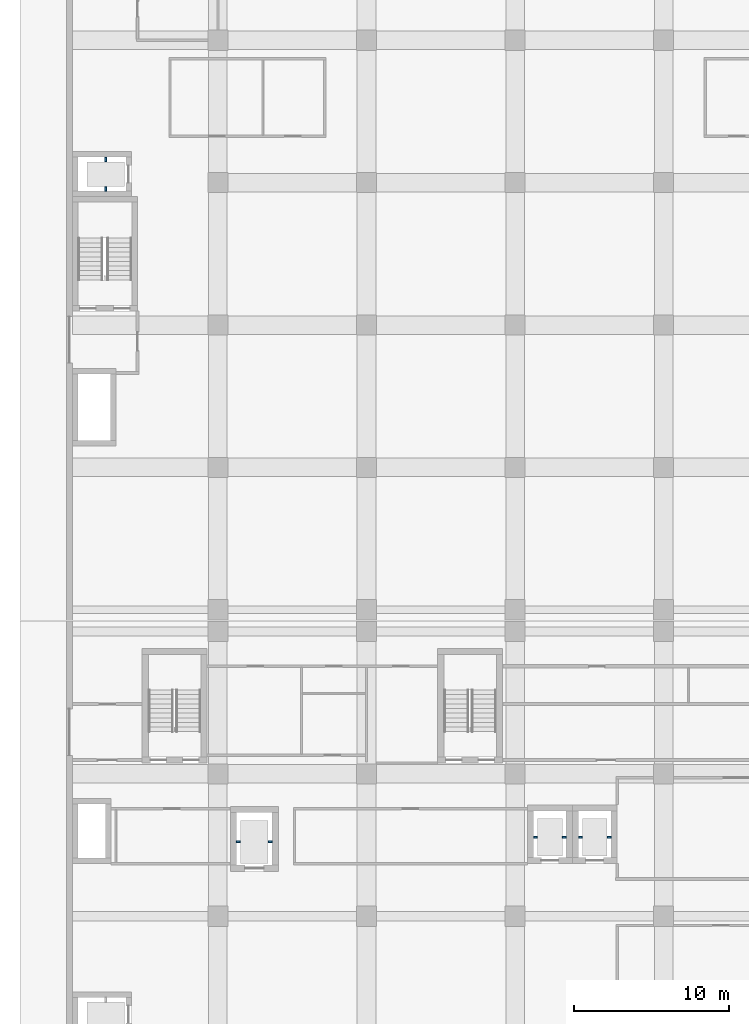
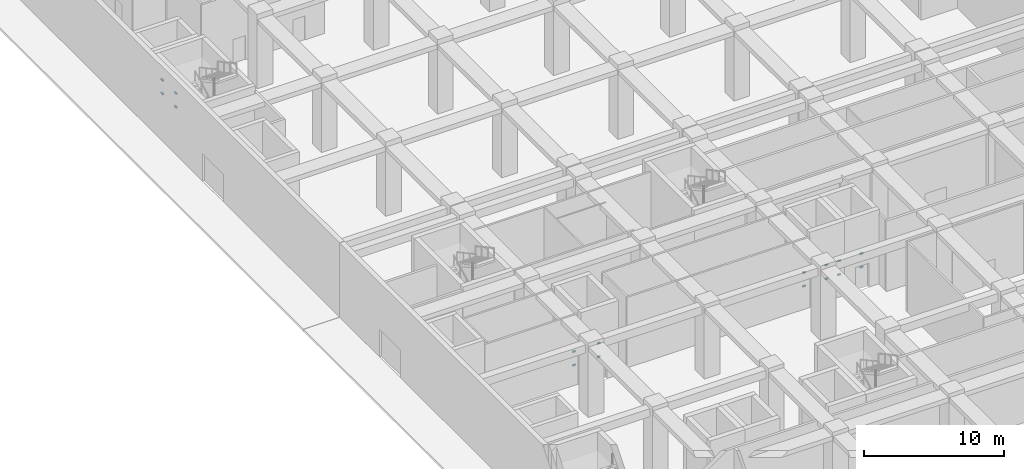
# One storey, part 27 of 45: 16 discrete accessories.
"""IFC4 building model written with IfcOpenShell, lengths in metres."""

from ifc_helpers import new_model, si_unit, direction, frame, origin, origin_2d, place, context, subcontext, project, spatial, rectangle, extrude, element, save


model = new_model("IFC4")

# Units and contexts
model_context = context("Model", 3, precision=1e-05, world=origin(), true_north=direction((0.0, 1.0)))
body_context = subcontext(model_context, "Body", "Model", "MODEL_VIEW")
ifc_project = project(units=[si_unit("LENGTHUNIT", "METRE"), si_unit("AREAUNIT", "SQUARE_METRE"), si_unit("VOLUMEUNIT", "CUBIC_METRE"), si_unit("PLANEANGLEUNIT", "RADIAN"), si_unit("MASSUNIT", "GRAM", prefix="KILO")], contexts=[model_context])

# Site, building, storey
site_placement = place(None, origin())
site = spatial("IfcSite", under=ifc_project, at=site_placement, CompositionType="ELEMENT")
building_placement = place(site_placement, origin())
building = spatial("IfcBuilding", under=site, at=building_placement, Name="Nzadi Deep Aquarium and Research Tower", CompositionType="ELEMENT")
storey_placement = place(building_placement, origin())
storey = spatial("IfcBuildingStorey", under=building, at=storey_placement, Name="G", CompositionType="ELEMENT", Elevation=0.0)

# Discrete accessories
for number, where, z_axis, x_axis, name in (
    (1, (10.925048828125, 32.39990234375, 0.5400390625), (0.0, 0.0, 1.0), (1.0, 0.0, 0.0), "Guide rail bracket FL2"),
    (2, (10.925048828125, 32.39990234375, 1.739990234375), (0.0, 0.0, 1.0), (1.0, 0.0, 0.0), "Guide rail bracket FL2"),
    (3, (12.97509765625, 32.39990234375, 0.5400390625), (0.0, 0.0, 1.0), (1.0, 0.0, 0.0), "Guide rail bracket FL2"),
    (4, (12.97509765625, 32.39990234375, 1.739990234375), (0.0, 0.0, 1.0), (1.0, 0.0, 0.0), "Guide rail bracket FL2"),
    (5, (30.125, 32.699951171875, 0.5400390625), (0.0, 0.0, 1.0), (1.0, 0.0, 0.0), "Guide rail bracket TL3"),
    (6, (30.125, 32.699951171875, 1.739990234375), (0.0, 0.0, 1.0), (1.0, 0.0, 0.0), "Guide rail bracket TL3"),
    (7, (31.97509765625, 32.699951171875, 0.5400390625), (0.0, 0.0, 1.0), (1.0, 0.0, 0.0), "Guide rail bracket TL3"),
    (8, (31.97509765625, 32.699951171875, 1.739990234375), (0.0, 0.0, 1.0), (1.0, 0.0, 0.0), "Guide rail bracket TL3"),
    (9, (33.02490234375, 32.699951171875, 0.5400390625), (0.0, 0.0, 1.0), (1.0, 0.0, 0.0), "Guide rail bracket TL4"),
    (10, (33.02490234375, 32.699951171875, 1.739990234375), (0.0, 0.0, 1.0), (1.0, 0.0, 0.0), "Guide rail bracket TL4"),
    (11, (34.875, 32.699951171875, 0.5400390625), (0.0, 0.0, 1.0), (1.0, 0.0, 0.0), "Guide rail bracket TL4"),
    (12, (34.875, 32.699951171875, 1.739990234375), (0.0, 0.0, 1.0), (1.0, 0.0, 0.0), "Guide rail bracket TL4"),
):
    element("IfcDiscreteAccessory", number, at=place(storey_placement, frame(where, z_axis=z_axis, x_axis=x_axis)), inside=storey, Name=name, PredefinedType="BRACKET", context=body_context, shape_type="SweptSolid", body=[
        extrude(rectangle(XDim=0.25, YDim=0.1201171875, at=origin_2d()), origin(), (0.0, 0.0, 1.0), 0.1201171875),
    ])
for number, where, z_axis, x_axis, name in (
    (13, (2.35009765625, 74.60009765625, 0.5400390625), (0.0, 0.0, 1.0), (1.0, 0.0, 0.0), "Guide rail bracket PL3"),
    (14, (2.35009765625, 74.60009765625, 1.739990234375), (0.0, 0.0, 1.0), (1.0, 0.0, 0.0), "Guide rail bracket PL3"),
    (15, (2.35009765625, 76.5, 0.5400390625), (0.0, 0.0, 1.0), (1.0, 0.0, 0.0), "Guide rail bracket PL3"),
    (16, (2.35009765625, 76.5, 1.739990234375), (0.0, 0.0, 1.0), (1.0, 0.0, 0.0), "Guide rail bracket PL3"),
):
    element("IfcDiscreteAccessory", number, at=place(storey_placement, frame(where, z_axis=z_axis, x_axis=x_axis)), inside=storey, Name=name, PredefinedType="BRACKET", context=body_context, shape_type="SweptSolid", body=[
        extrude(rectangle(XDim=0.1201171875, YDim=0.300048828125, at=origin_2d()), origin(), (0.0, 0.0, 1.0), 0.1201171875),
    ])

save(model, "model.ifc")
